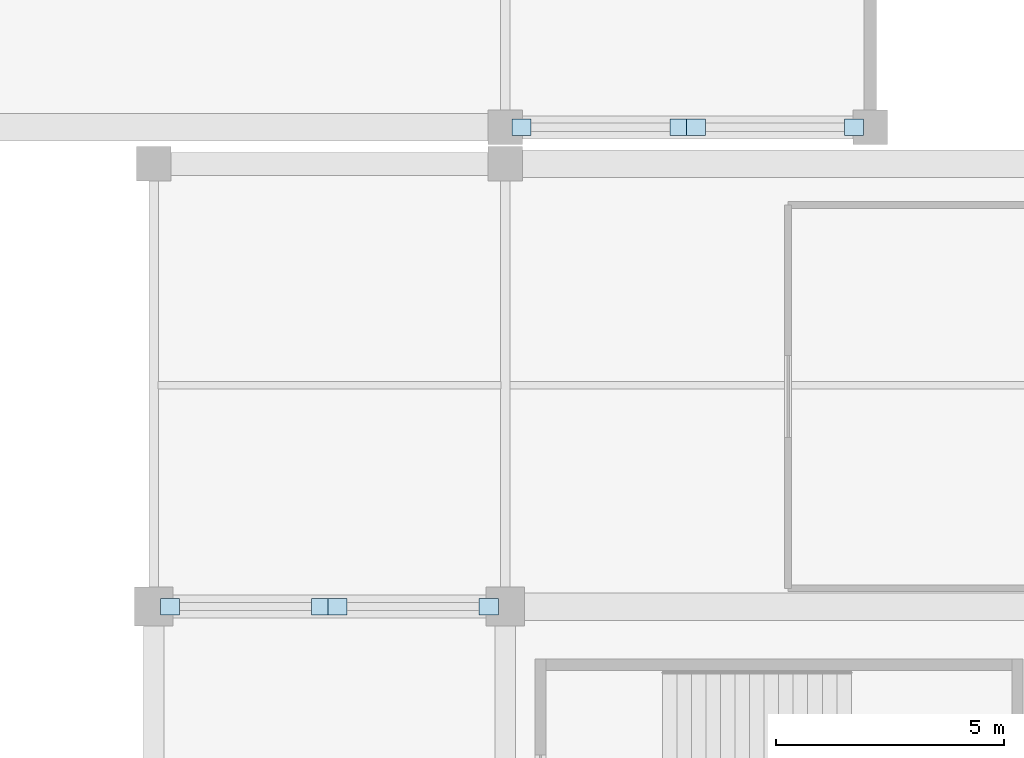
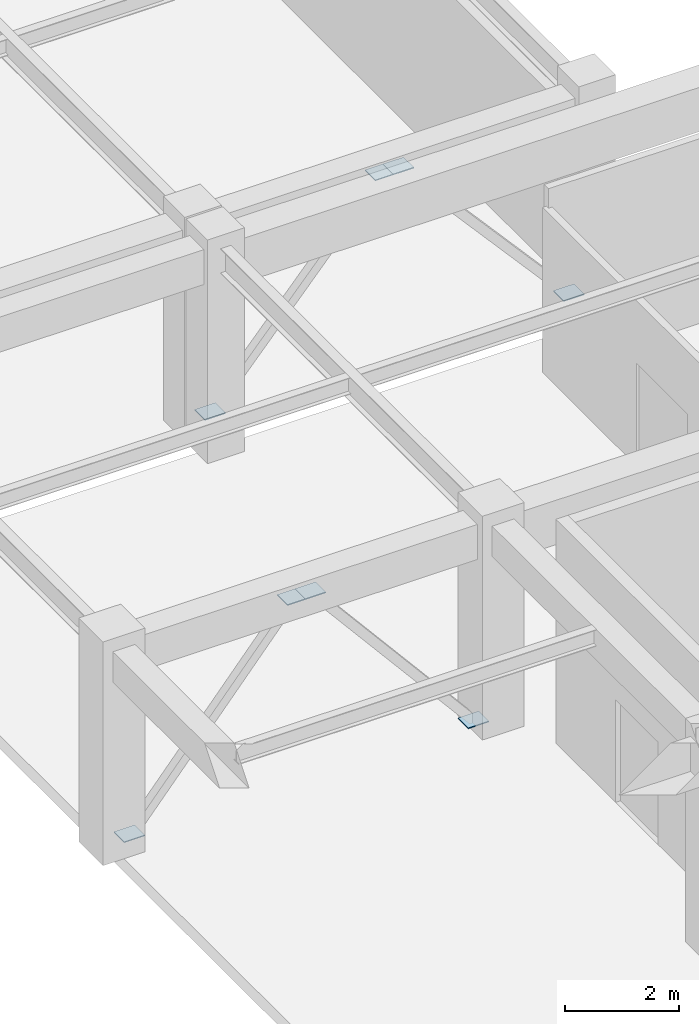
# One storey, part 78 of 112: 8 plates.
"""IFC4 building model written with IfcOpenShell, lengths in metres."""

from ifc_helpers import new_model, si_unit, direction, frame, origin, origin_2d, place, context, subcontext, project, spatial, rectangle, extrude, material, layer, layer_set, type_object, element, save


model = new_model("IFC4")

# Units and contexts
model_context = context("Model", 3, precision=1e-05, world=origin(), true_north=direction((0.0, 1.0)))
body_context = subcontext(model_context, "Body", "Model", "MODEL_VIEW")
ifc_project = project(units=[si_unit("LENGTHUNIT", "METRE"), si_unit("AREAUNIT", "SQUARE_METRE"), si_unit("VOLUMEUNIT", "CUBIC_METRE"), si_unit("PLANEANGLEUNIT", "RADIAN"), si_unit("MASSUNIT", "GRAM", prefix="KILO")], contexts=[model_context])

# Site, building, storey
site_placement = place(None, origin())
site = spatial("IfcSite", under=ifc_project, at=site_placement, CompositionType="ELEMENT")
building_placement = place(site_placement, origin())
building = spatial("IfcBuilding", under=site, at=building_placement, Name="Cuetzalor Civic Arena", CompositionType="ELEMENT")
storey_placement = place(building_placement, frame((0.0, 0.0, 11.39990234375)))
storey = spatial("IfcBuildingStorey", under=building, at=storey_placement, Name="L02", CompositionType="ELEMENT", Elevation=11.39990234375)

# Plates
ifc_material = material(Name="Steel S355", Category="steel")
ifc_layer = layer(ifc_material, 0.02001953125)
ifc_layer_set = layer_set([ifc_layer], Name="Steel S355")
plate_type = type_object("IfcPlateType", Name="TubeEndCapPlate_CP01", PredefinedType="SHEET", material=ifc_layer_set)
for number, where, z_axis, x_axis, name in (
    (1, (64.360107421875, 35.5, 0.14013671875), (0.0, 0.0, 1.0), (1.0, 0.0, 0.0), "Brace End Cap Plate 011-1"),
    (2, (67.820068359375, 35.5, 4.070068359375), (0.0, 0.0, 1.0), (1.0, 0.0, 0.0), "Brace End Cap Plate 011-2"),
    (3, (71.639892578125, 35.5, 0.14013671875), (0.0, 0.0, 1.0), (1.0, 0.0, 0.0), "Brace End Cap Plate 012-1"),
    (4, (68.179931640625, 35.5, 4.070068359375), (0.0, 0.0, 1.0), (1.0, 0.0, 0.0), "Brace End Cap Plate 012-2"),
    (5, (56.659912109375, 25.0, 0.14013671875), (0.0, 0.0, 1.0), (1.0, 0.0, 0.0), "Brace End Cap Plate 027-1"),
    (6, (59.969970703125, 25.0, 4.070068359375), (0.0, 0.0, 1.0), (1.0, 0.0, 0.0), "Brace End Cap Plate 027-2"),
    (7, (63.639892578125, 25.0, 0.14013671875), (0.0, 0.0, 1.0), (1.0, 0.0, 0.0), "Brace End Cap Plate 028-1"),
    (8, (60.330078125, 25.0, 4.070068359375), (0.0, 0.0, 1.0), (1.0, 0.0, 0.0), "Brace End Cap Plate 028-2"),
):
    element("IfcPlate", number, at=place(storey_placement, frame(where, z_axis=z_axis, x_axis=x_axis)), inside=storey, type_object=plate_type, Name=name, PredefinedType="SHEET", context=body_context, shape_type="SweptSolid", body=[
        extrude(rectangle(XDim=0.419921875, YDim=0.360107421875, at=origin_2d()), origin(), (0.0, 0.0, 1.0), 0.02001953125),
    ])

save(model, "model.ifc")
